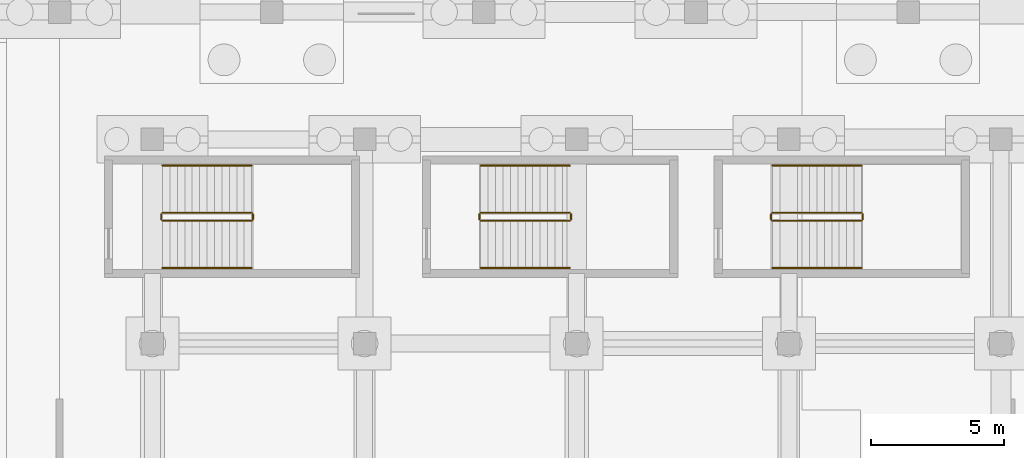
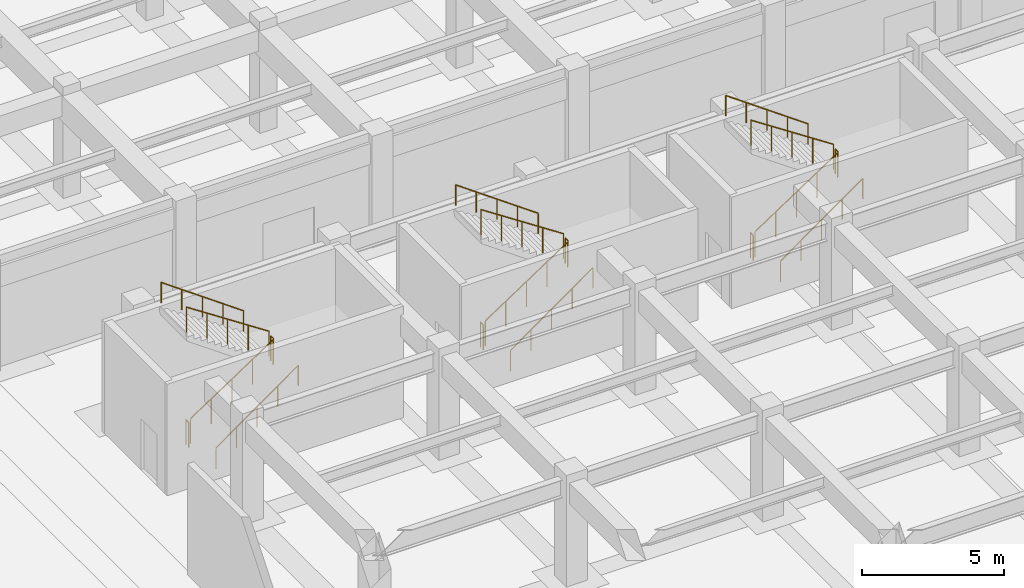
# One storey, part 43 of 48: 18 railings.
"""IFC4 building model written with IfcOpenShell, lengths in metres."""

from ifc_helpers import new_model, si_unit, direction, frame, origin, origin_2d, place, context, subcontext, project, spatial, circle, extrude, material, type_object, element, save


model = new_model("IFC4")

# Units and contexts
model_context = context("Model", 3, precision=1e-05, world=origin(), true_north=direction((0.0, 1.0)))
body_context = subcontext(model_context, "Body", "Model", "MODEL_VIEW")
ifc_project = project(units=[si_unit("LENGTHUNIT", "METRE"), si_unit("AREAUNIT", "SQUARE_METRE"), si_unit("VOLUMEUNIT", "CUBIC_METRE"), si_unit("PLANEANGLEUNIT", "RADIAN"), si_unit("MASSUNIT", "GRAM", prefix="KILO")], contexts=[model_context])

# Site, building, storey
site_placement = place(None, origin())
site = spatial("IfcSite", under=ifc_project, at=site_placement, CompositionType="ELEMENT")
building_placement = place(site_placement, origin())
building = spatial("IfcBuilding", under=site, at=building_placement, Name="Tlacozan Convention Centre", CompositionType="ELEMENT")
storey_placement = place(building_placement, frame((0.0, 0.0, -4.800048828125)))
storey = spatial("IfcBuildingStorey", under=building, at=storey_placement, Name="B01", CompositionType="ELEMENT", Elevation=-4.800048828125)

# Railings
ifc_material = material(Name="Architectural Painted Galvanised Steel Railing", Category="steel")
railing_type_1 = type_object("IfcRailingType", Name="Stair Wall Handrail 900", PredefinedType="HANDRAIL", material=ifc_material)
railing_1_placement = place(storey_placement, frame((91.8798828125, 52.35009765625, 0.1845703125)))
element("IfcRailing", 1, at=railing_1_placement, inside=storey, type_object=railing_type_1, Name="B01 ST-06 stair handrail 1", PredefinedType="HANDRAIL", context=body_context, shape_type="SweptSolid", body=[
    extrude(circle(Radius=0.02392578125, at=origin_2d()), frame((0.0, 0.0, 0.8759765625), z_axis=(0.813725481382, 0.0, 0.581249379312), x_axis=(0.0, 1.0, 0.0)), (0.0, 0.0, 1.0), 4.12939453125),
    extrude(circle(Radius=0.02099609375, at=origin_2d()), origin(), (0.0, 0.0, 1.0), 0.851806640625),
    extrude(circle(Radius=0.02099609375, at=origin_2d()), frame((0.840087890625, 0.0, 0.60009765625)), (0.0, 0.0, 1.0), 0.851806640625),
    extrude(circle(Radius=0.02099609375, at=origin_2d()), frame((1.68017578125, 0.0, 1.2001953125)), (0.0, 0.0, 1.0), 0.851806640625),
    extrude(circle(Radius=0.02099609375, at=origin_2d()), frame((2.52001953125, 0.0, 1.800048828125)), (0.0, 0.0, 1.0), 0.851806640625),
    extrude(circle(Radius=0.02099609375, at=origin_2d()), frame((3.360107421875, 0.0, 2.400146484375)), (0.0, 0.0, 1.0), 0.851806640625),
])
railing_2_placement = place(storey_placement, frame((95.239990234375, 56.2099609375, 2.584716796875)))
element("IfcRailing", 2, at=railing_2_placement, inside=storey, type_object=railing_type_1, Name="B01 ST-06 stair handrail 2", PredefinedType="HANDRAIL", context=body_context, shape_type="SweptSolid", body=[
    extrude(circle(Radius=0.02392578125, at=origin_2d()), frame((0.0, 0.0, 0.8759765625), z_axis=(-0.813753445783, 0.0, 0.581210228297), x_axis=(0.0, -1.0, 0.0)), (0.0, 0.0, 1.0), 4.129150390625),
    extrude(circle(Radius=0.02099609375, at=origin_2d()), origin(), (0.0, 0.0, 1.0), 0.851806640625),
    extrude(circle(Radius=0.02099609375, at=origin_2d()), frame((-0.840087890625, 0.0, 0.60009765625)), (0.0, 0.0, 1.0), 0.851806640625),
    extrude(circle(Radius=0.02099609375, at=origin_2d()), frame((-1.68017578125, 0.0, 1.199951171875)), (0.0, 0.0, 1.0), 0.851806640625),
    extrude(circle(Radius=0.02099609375, at=origin_2d()), frame((-2.52001953125, 0.0, 1.7998046875)), (0.0, 0.0, 1.0), 0.851806640625),
    extrude(circle(Radius=0.02099609375, at=origin_2d()), frame((-3.360107421875, 0.0, 2.39990234375)), (0.0, 0.0, 1.0), 0.851806640625),
])
railing_3_placement = place(storey_placement, frame((103.8798828125, 52.35009765625, 0.1845703125)))
element("IfcRailing", 3, at=railing_3_placement, inside=storey, type_object=railing_type_1, Name="B01 ST-17 stair handrail 1", PredefinedType="HANDRAIL", context=body_context, shape_type="SweptSolid", body=[
    extrude(circle(Radius=0.02392578125, at=origin_2d()), frame((0.0, 0.0, 0.8759765625), z_axis=(0.813725481382, 0.0, 0.581249379312), x_axis=(0.0, 1.0, 0.0)), (0.0, 0.0, 1.0), 4.12939453125),
    extrude(circle(Radius=0.02099609375, at=origin_2d()), origin(), (0.0, 0.0, 1.0), 0.851806640625),
    extrude(circle(Radius=0.02099609375, at=origin_2d()), frame((0.840087890625, 0.0, 0.60009765625)), (0.0, 0.0, 1.0), 0.851806640625),
    extrude(circle(Radius=0.02099609375, at=origin_2d()), frame((1.68017578125, 0.0, 1.2001953125)), (0.0, 0.0, 1.0), 0.851806640625),
    extrude(circle(Radius=0.02099609375, at=origin_2d()), frame((2.52001953125, 0.0, 1.800048828125)), (0.0, 0.0, 1.0), 0.851806640625),
    extrude(circle(Radius=0.02099609375, at=origin_2d()), frame((3.360107421875, 0.0, 2.400146484375)), (0.0, 0.0, 1.0), 0.851806640625),
])
railing_4_placement = place(storey_placement, frame((107.239990234375, 56.2099609375, 2.584716796875)))
element("IfcRailing", 4, at=railing_4_placement, inside=storey, type_object=railing_type_1, Name="B01 ST-17 stair handrail 2", PredefinedType="HANDRAIL", context=body_context, shape_type="SweptSolid", body=[
    extrude(circle(Radius=0.02392578125, at=origin_2d()), frame((0.0, 0.0, 0.8759765625), z_axis=(-0.813753445783, 0.0, 0.581210228297), x_axis=(0.0, -1.0, 0.0)), (0.0, 0.0, 1.0), 4.129150390625),
    extrude(circle(Radius=0.02099609375, at=origin_2d()), origin(), (0.0, 0.0, 1.0), 0.851806640625),
    extrude(circle(Radius=0.02099609375, at=origin_2d()), frame((-0.840087890625, 0.0, 0.60009765625)), (0.0, 0.0, 1.0), 0.851806640625),
    extrude(circle(Radius=0.02099609375, at=origin_2d()), frame((-1.68017578125, 0.0, 1.199951171875)), (0.0, 0.0, 1.0), 0.851806640625),
    extrude(circle(Radius=0.02099609375, at=origin_2d()), frame((-2.52001953125, 0.0, 1.7998046875)), (0.0, 0.0, 1.0), 0.851806640625),
    extrude(circle(Radius=0.02099609375, at=origin_2d()), frame((-3.360107421875, 0.0, 2.39990234375)), (0.0, 0.0, 1.0), 0.851806640625),
])
railing_5_placement = place(storey_placement, frame((114.8798828125, 52.35009765625, 0.1845703125)))
element("IfcRailing", 5, at=railing_5_placement, inside=storey, type_object=railing_type_1, Name="B01 ST-18 stair handrail 1", PredefinedType="HANDRAIL", context=body_context, shape_type="SweptSolid", body=[
    extrude(circle(Radius=0.02392578125, at=origin_2d()), frame((0.0, 0.0, 0.8759765625), z_axis=(0.813725481382, 0.0, 0.581249379312), x_axis=(0.0, 1.0, 0.0)), (0.0, 0.0, 1.0), 4.12939453125),
    extrude(circle(Radius=0.02099609375, at=origin_2d()), origin(), (0.0, 0.0, 1.0), 0.851806640625),
    extrude(circle(Radius=0.02099609375, at=origin_2d()), frame((0.840087890625, 0.0, 0.60009765625)), (0.0, 0.0, 1.0), 0.851806640625),
    extrude(circle(Radius=0.02099609375, at=origin_2d()), frame((1.68017578125, 0.0, 1.2001953125)), (0.0, 0.0, 1.0), 0.851806640625),
    extrude(circle(Radius=0.02099609375, at=origin_2d()), frame((2.52001953125, 0.0, 1.800048828125)), (0.0, 0.0, 1.0), 0.851806640625),
    extrude(circle(Radius=0.02099609375, at=origin_2d()), frame((3.360107421875, 0.0, 2.400146484375)), (0.0, 0.0, 1.0), 0.851806640625),
])
railing_6_placement = place(storey_placement, frame((118.239990234375, 56.2099609375, 2.584716796875)))
element("IfcRailing", 6, at=railing_6_placement, inside=storey, type_object=railing_type_1, Name="B01 ST-18 stair handrail 2", PredefinedType="HANDRAIL", context=body_context, shape_type="SweptSolid", body=[
    extrude(circle(Radius=0.02392578125, at=origin_2d()), frame((0.0, 0.0, 0.8759765625), z_axis=(-0.813753445783, 0.0, 0.581210228297), x_axis=(0.0, -1.0, 0.0)), (0.0, 0.0, 1.0), 4.129150390625),
    extrude(circle(Radius=0.02099609375, at=origin_2d()), origin(), (0.0, 0.0, 1.0), 0.851806640625),
    extrude(circle(Radius=0.02099609375, at=origin_2d()), frame((-0.840087890625, 0.0, 0.60009765625)), (0.0, 0.0, 1.0), 0.851806640625),
    extrude(circle(Radius=0.02099609375, at=origin_2d()), frame((-1.68017578125, 0.0, 1.199951171875)), (0.0, 0.0, 1.0), 0.851806640625),
    extrude(circle(Radius=0.02099609375, at=origin_2d()), frame((-2.52001953125, 0.0, 1.7998046875)), (0.0, 0.0, 1.0), 0.851806640625),
    extrude(circle(Radius=0.02099609375, at=origin_2d()), frame((-3.360107421875, 0.0, 2.39990234375)), (0.0, 0.0, 1.0), 0.851806640625),
])
railing_type_2 = type_object("IfcRailingType", Name="Stair Well Guardrail 1100", PredefinedType="GUARDRAIL", material=ifc_material)
railing_7_placement = place(storey_placement, frame((91.8798828125, 54.1298828125, 0.1845703125)))
element("IfcRailing", 7, at=railing_7_placement, inside=storey, type_object=railing_type_2, Name="B01 ST-06 stair guard 1", PredefinedType="GUARDRAIL", context=body_context, shape_type="SweptSolid", body=[
    extrude(circle(Radius=0.02392578125, at=origin_2d()), frame((0.0, 0.0, 1.076171875), z_axis=(0.834848600103, 0.0, 0.550479622607), x_axis=(0.0, 1.0, 0.0)), (0.0, 0.0, 1.0), 4.02490234375),
    extrude(circle(Radius=0.02099609375, at=origin_2d()), origin(), (0.0, 0.0, 1.0), 1.052001953125),
    extrude(circle(Radius=0.02099609375, at=origin_2d()), frame((0.840087890625, 0.0, 0.553955078125)), (0.0, 0.0, 1.0), 1.052001953125),
    extrude(circle(Radius=0.02099609375, at=origin_2d()), frame((1.68017578125, 0.0, 1.10791015625)), (0.0, 0.0, 1.0), 1.052001953125),
    extrude(circle(Radius=0.02099609375, at=origin_2d()), frame((2.52001953125, 0.0, 1.66162109375)), (0.0, 0.0, 1.0), 1.052001953125),
    extrude(circle(Radius=0.02099609375, at=origin_2d()), frame((3.360107421875, 0.0, 2.215576171875)), (0.0, 0.0, 1.0), 1.052001953125),
])
railing_8_placement = place(storey_placement, frame((95.2900390625, 54.179931640625, 2.400146484375)))
element("IfcRailing", 8, at=railing_8_placement, inside=storey, type_object=railing_type_2, Name="B01 ST-06 stair guard 2", PredefinedType="GUARDRAIL", context=body_context, shape_type="SweptSolid", body=[
    extrude(circle(Radius=0.02392578125, at=origin_2d()), frame((0.0, 0.0, 1.076171875), z_axis=(0.0, 1.0, 0.0), x_axis=(-1.0, 0.0, 0.0)), (0.0, 0.0, 1.0), 0.199951171875),
    extrude(circle(Radius=0.02099609375, at=origin_2d()), origin(), (0.0, 0.0, 1.0), 1.052001953125),
    extrude(circle(Radius=0.02099609375, at=origin_2d()), frame((0.0, 0.199951171875, 0.0)), (0.0, 0.0, 1.0), 1.052001953125),
])
railing_9_placement = place(storey_placement, frame((95.239990234375, 54.429931640625, 2.584716796875)))
element("IfcRailing", 9, at=railing_9_placement, inside=storey, type_object=railing_type_2, Name="B01 ST-06 stair guard 3", PredefinedType="GUARDRAIL", context=body_context, shape_type="SweptSolid", body=[
    extrude(circle(Radius=0.02392578125, at=origin_2d()), frame((0.0, 0.0, 1.076171875), z_axis=(-0.834876476806, 0.0, 0.550437342915), x_axis=(0.0, -1.0, 0.0)), (0.0, 0.0, 1.0), 4.024658203125),
    extrude(circle(Radius=0.02099609375, at=origin_2d()), origin(), (0.0, 0.0, 1.0), 1.052001953125),
    extrude(circle(Radius=0.02099609375, at=origin_2d()), frame((-0.840087890625, 0.0, 0.5537109375)), (0.0, 0.0, 1.0), 1.052001953125),
    extrude(circle(Radius=0.02099609375, at=origin_2d()), frame((-1.68017578125, 0.0, 1.107666015625)), (0.0, 0.0, 1.0), 1.052001953125),
    extrude(circle(Radius=0.02099609375, at=origin_2d()), frame((-2.52001953125, 0.0, 1.66162109375)), (0.0, 0.0, 1.0), 1.052001953125),
    extrude(circle(Radius=0.02099609375, at=origin_2d()), frame((-3.360107421875, 0.0, 2.21533203125)), (0.0, 0.0, 1.0), 1.052001953125),
])
railing_10_placement = place(storey_placement, frame((91.830078125, 54.179931640625, 0.0)))
element("IfcRailing", 10, at=railing_10_placement, inside=storey, type_object=railing_type_2, Name="B01 ST-06 stair guard 4", PredefinedType="GUARDRAIL", context=body_context, shape_type="SweptSolid", body=[
    extrude(circle(Radius=0.02392578125, at=origin_2d()), frame((0.0, 0.0, 1.076171875), z_axis=(0.0, 1.0, 0.0), x_axis=(-1.0, 0.0, 0.0)), (0.0, 0.0, 1.0), 0.199951171875),
    extrude(circle(Radius=0.02099609375, at=origin_2d()), origin(), (0.0, 0.0, 1.0), 1.052001953125),
    extrude(circle(Radius=0.02099609375, at=origin_2d()), frame((0.0, 0.199951171875, 0.0)), (0.0, 0.0, 1.0), 1.052001953125),
])
railing_11_placement = place(storey_placement, frame((103.8798828125, 54.1298828125, 0.1845703125)))
element("IfcRailing", 11, at=railing_11_placement, inside=storey, type_object=railing_type_2, Name="B01 ST-17 stair guard 1", PredefinedType="GUARDRAIL", context=body_context, shape_type="SweptSolid", body=[
    extrude(circle(Radius=0.02392578125, at=origin_2d()), frame((0.0, 0.0, 1.076171875), z_axis=(0.834848600103, 0.0, 0.550479622607), x_axis=(0.0, 1.0, 0.0)), (0.0, 0.0, 1.0), 4.02490234375),
    extrude(circle(Radius=0.02099609375, at=origin_2d()), origin(), (0.0, 0.0, 1.0), 1.052001953125),
    extrude(circle(Radius=0.02099609375, at=origin_2d()), frame((0.840087890625, 0.0, 0.553955078125)), (0.0, 0.0, 1.0), 1.052001953125),
    extrude(circle(Radius=0.02099609375, at=origin_2d()), frame((1.68017578125, 0.0, 1.10791015625)), (0.0, 0.0, 1.0), 1.052001953125),
    extrude(circle(Radius=0.02099609375, at=origin_2d()), frame((2.52001953125, 0.0, 1.66162109375)), (0.0, 0.0, 1.0), 1.052001953125),
    extrude(circle(Radius=0.02099609375, at=origin_2d()), frame((3.360107421875, 0.0, 2.215576171875)), (0.0, 0.0, 1.0), 1.052001953125),
])
railing_12_placement = place(storey_placement, frame((107.2900390625, 54.179931640625, 2.400146484375)))
element("IfcRailing", 12, at=railing_12_placement, inside=storey, type_object=railing_type_2, Name="B01 ST-17 stair guard 2", PredefinedType="GUARDRAIL", context=body_context, shape_type="SweptSolid", body=[
    extrude(circle(Radius=0.02392578125, at=origin_2d()), frame((0.0, 0.0, 1.076171875), z_axis=(0.0, 1.0, 0.0), x_axis=(-1.0, 0.0, 0.0)), (0.0, 0.0, 1.0), 0.199951171875),
    extrude(circle(Radius=0.02099609375, at=origin_2d()), origin(), (0.0, 0.0, 1.0), 1.052001953125),
    extrude(circle(Radius=0.02099609375, at=origin_2d()), frame((0.0, 0.199951171875, 0.0)), (0.0, 0.0, 1.0), 1.052001953125),
])
railing_13_placement = place(storey_placement, frame((107.239990234375, 54.429931640625, 2.584716796875)))
element("IfcRailing", 13, at=railing_13_placement, inside=storey, type_object=railing_type_2, Name="B01 ST-17 stair guard 3", PredefinedType="GUARDRAIL", context=body_context, shape_type="SweptSolid", body=[
    extrude(circle(Radius=0.02392578125, at=origin_2d()), frame((0.0, 0.0, 1.076171875), z_axis=(-0.834876476806, 0.0, 0.550437342915), x_axis=(0.0, -1.0, 0.0)), (0.0, 0.0, 1.0), 4.024658203125),
    extrude(circle(Radius=0.02099609375, at=origin_2d()), origin(), (0.0, 0.0, 1.0), 1.052001953125),
    extrude(circle(Radius=0.02099609375, at=origin_2d()), frame((-0.840087890625, 0.0, 0.5537109375)), (0.0, 0.0, 1.0), 1.052001953125),
    extrude(circle(Radius=0.02099609375, at=origin_2d()), frame((-1.68017578125, 0.0, 1.107666015625)), (0.0, 0.0, 1.0), 1.052001953125),
    extrude(circle(Radius=0.02099609375, at=origin_2d()), frame((-2.52001953125, 0.0, 1.66162109375)), (0.0, 0.0, 1.0), 1.052001953125),
    extrude(circle(Radius=0.02099609375, at=origin_2d()), frame((-3.360107421875, 0.0, 2.21533203125)), (0.0, 0.0, 1.0), 1.052001953125),
])
railing_14_placement = place(storey_placement, frame((103.830078125, 54.179931640625, 0.0)))
element("IfcRailing", 14, at=railing_14_placement, inside=storey, type_object=railing_type_2, Name="B01 ST-17 stair guard 4", PredefinedType="GUARDRAIL", context=body_context, shape_type="SweptSolid", body=[
    extrude(circle(Radius=0.02392578125, at=origin_2d()), frame((0.0, 0.0, 1.076171875), z_axis=(0.0, 1.0, 0.0), x_axis=(-1.0, 0.0, 0.0)), (0.0, 0.0, 1.0), 0.199951171875),
    extrude(circle(Radius=0.02099609375, at=origin_2d()), origin(), (0.0, 0.0, 1.0), 1.052001953125),
    extrude(circle(Radius=0.02099609375, at=origin_2d()), frame((0.0, 0.199951171875, 0.0)), (0.0, 0.0, 1.0), 1.052001953125),
])
railing_15_placement = place(storey_placement, frame((114.8798828125, 54.1298828125, 0.1845703125)))
element("IfcRailing", 15, at=railing_15_placement, inside=storey, type_object=railing_type_2, Name="B01 ST-18 stair guard 1", PredefinedType="GUARDRAIL", context=body_context, shape_type="SweptSolid", body=[
    extrude(circle(Radius=0.02392578125, at=origin_2d()), frame((0.0, 0.0, 1.076171875), z_axis=(0.834848600103, 0.0, 0.550479622607), x_axis=(0.0, 1.0, 0.0)), (0.0, 0.0, 1.0), 4.02490234375),
    extrude(circle(Radius=0.02099609375, at=origin_2d()), origin(), (0.0, 0.0, 1.0), 1.052001953125),
    extrude(circle(Radius=0.02099609375, at=origin_2d()), frame((0.840087890625, 0.0, 0.553955078125)), (0.0, 0.0, 1.0), 1.052001953125),
    extrude(circle(Radius=0.02099609375, at=origin_2d()), frame((1.68017578125, 0.0, 1.10791015625)), (0.0, 0.0, 1.0), 1.052001953125),
    extrude(circle(Radius=0.02099609375, at=origin_2d()), frame((2.52001953125, 0.0, 1.66162109375)), (0.0, 0.0, 1.0), 1.052001953125),
    extrude(circle(Radius=0.02099609375, at=origin_2d()), frame((3.360107421875, 0.0, 2.215576171875)), (0.0, 0.0, 1.0), 1.052001953125),
])
railing_16_placement = place(storey_placement, frame((118.2900390625, 54.179931640625, 2.400146484375)))
element("IfcRailing", 16, at=railing_16_placement, inside=storey, type_object=railing_type_2, Name="B01 ST-18 stair guard 2", PredefinedType="GUARDRAIL", context=body_context, shape_type="SweptSolid", body=[
    extrude(circle(Radius=0.02392578125, at=origin_2d()), frame((0.0, 0.0, 1.076171875), z_axis=(0.0, 1.0, 0.0), x_axis=(-1.0, 0.0, 0.0)), (0.0, 0.0, 1.0), 0.199951171875),
    extrude(circle(Radius=0.02099609375, at=origin_2d()), origin(), (0.0, 0.0, 1.0), 1.052001953125),
    extrude(circle(Radius=0.02099609375, at=origin_2d()), frame((0.0, 0.199951171875, 0.0)), (0.0, 0.0, 1.0), 1.052001953125),
])
railing_17_placement = place(storey_placement, frame((118.239990234375, 54.429931640625, 2.584716796875)))
element("IfcRailing", 17, at=railing_17_placement, inside=storey, type_object=railing_type_2, Name="B01 ST-18 stair guard 3", PredefinedType="GUARDRAIL", context=body_context, shape_type="SweptSolid", body=[
    extrude(circle(Radius=0.02392578125, at=origin_2d()), frame((0.0, 0.0, 1.076171875), z_axis=(-0.834876476806, 0.0, 0.550437342915), x_axis=(0.0, -1.0, 0.0)), (0.0, 0.0, 1.0), 4.024658203125),
    extrude(circle(Radius=0.02099609375, at=origin_2d()), origin(), (0.0, 0.0, 1.0), 1.052001953125),
    extrude(circle(Radius=0.02099609375, at=origin_2d()), frame((-0.840087890625, 0.0, 0.5537109375)), (0.0, 0.0, 1.0), 1.052001953125),
    extrude(circle(Radius=0.02099609375, at=origin_2d()), frame((-1.68017578125, 0.0, 1.107666015625)), (0.0, 0.0, 1.0), 1.052001953125),
    extrude(circle(Radius=0.02099609375, at=origin_2d()), frame((-2.52001953125, 0.0, 1.66162109375)), (0.0, 0.0, 1.0), 1.052001953125),
    extrude(circle(Radius=0.02099609375, at=origin_2d()), frame((-3.360107421875, 0.0, 2.21533203125)), (0.0, 0.0, 1.0), 1.052001953125),
])
railing_18_placement = place(storey_placement, frame((114.830078125, 54.179931640625, 0.0)))
element("IfcRailing", 18, at=railing_18_placement, inside=storey, type_object=railing_type_2, Name="B01 ST-18 stair guard 4", PredefinedType="GUARDRAIL", context=body_context, shape_type="SweptSolid", body=[
    extrude(circle(Radius=0.02392578125, at=origin_2d()), frame((0.0, 0.0, 1.076171875), z_axis=(0.0, 1.0, 0.0), x_axis=(-1.0, 0.0, 0.0)), (0.0, 0.0, 1.0), 0.199951171875),
    extrude(circle(Radius=0.02099609375, at=origin_2d()), origin(), (0.0, 0.0, 1.0), 1.052001953125),
    extrude(circle(Radius=0.02099609375, at=origin_2d()), frame((0.0, 0.199951171875, 0.0)), (0.0, 0.0, 1.0), 1.052001953125),
])

save(model, "model.ifc")
